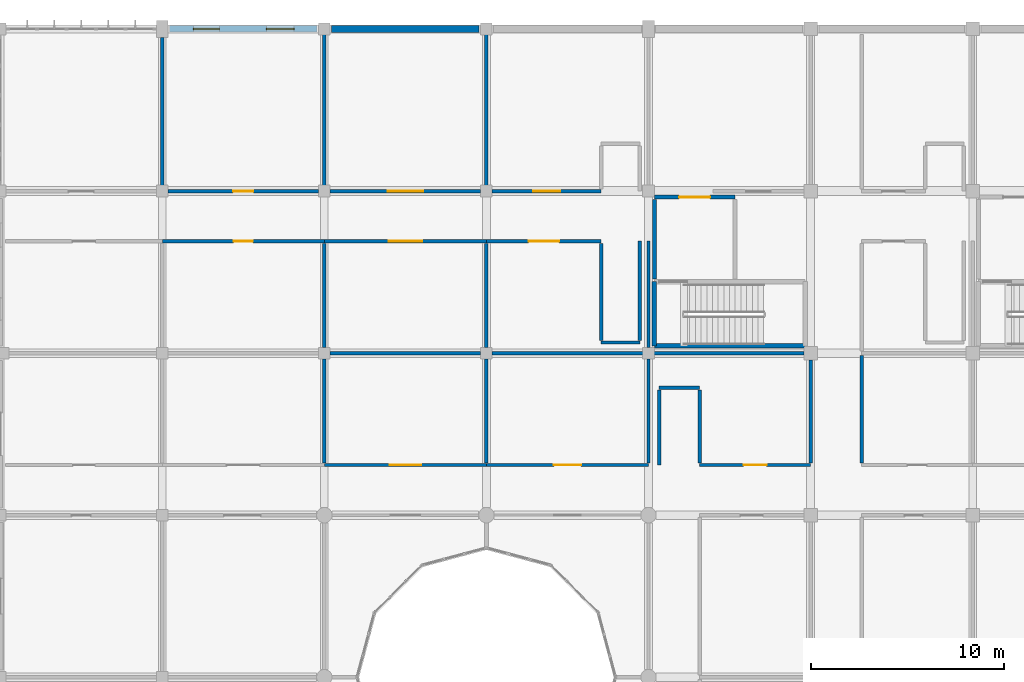
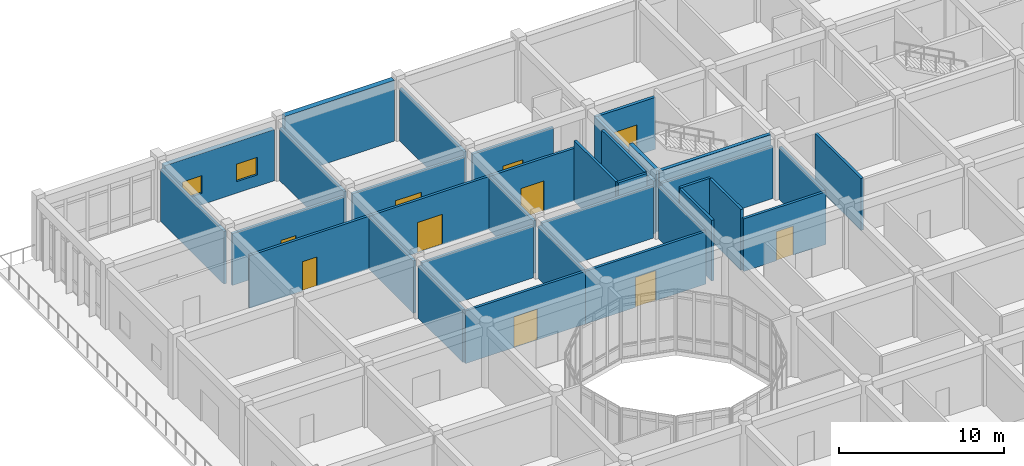
# One storey, part 100 of 138: 35 walls, 10 doors, 2 windows, 12 openings.
"""IFC4 building model written with IfcOpenShell, lengths in metres."""

from ifc_helpers import new_model, si_unit, direction, frame, frame_2d, origin, place, context, subcontext, project, spatial, rectangle, extrude, material, layer, layer_set, type_object, element, fill, save


model = new_model("IFC4")

# Units and contexts
model_context = context("Model", 3, precision=1e-05, world=origin(), true_north=direction((0.0, 1.0)))
body_context = subcontext(model_context, "Body", "Model", "MODEL_VIEW")
ifc_project = project(units=[si_unit("LENGTHUNIT", "METRE"), si_unit("AREAUNIT", "SQUARE_METRE"), si_unit("VOLUMEUNIT", "CUBIC_METRE"), si_unit("PLANEANGLEUNIT", "RADIAN"), si_unit("MASSUNIT", "GRAM", prefix="KILO")], contexts=[model_context])

# Site, building, storey
site_placement = place(None, origin())
site = spatial("IfcSite", under=ifc_project, at=site_placement, CompositionType="ELEMENT")
building_placement = place(site_placement, origin())
building = spatial("IfcBuilding", under=site, at=building_placement, Name="Bramfleet General Hospital", CompositionType="ELEMENT")
storey_placement = place(building_placement, origin())
storey = spatial("IfcBuildingStorey", under=building, at=storey_placement, Name="L00", CompositionType="ELEMENT", Elevation=0.0)

# Wall
ifc_material_1 = material(Name="Concrete C35/45", Category="concrete")
ifc_layer_1 = layer(ifc_material_1, 0.360107421875, Name="WT-EW-02")
ifc_layer_set_1 = layer_set([ifc_layer_1], Name="Concrete C35/45")
wall_type_1 = type_object("IfcWallType", Name="WT-EW-02", PredefinedType="SOLIDWALL", material=ifc_layer_set_1)
wall_1_placement = place(storey_placement, frame((17.175048828125, 117.60009765625, 0.0), z_axis=(0.0, 0.0, 1.0), x_axis=(1.0, 0.0, 0.0)))
element("IfcWall", 1, at=wall_1_placement, inside=storey, type_object=wall_type_1, Name="L00 North REI 90-M Party Wall 107", PredefinedType="SOLIDWALL", context=body_context, shape_type="SweptSolid", body=[
    extrude(rectangle(XDim=7.64990234375, YDim=0.360107421875, at=frame_2d((3.824951171875, 0.0))), origin(), (0.0, 0.0, 1.0), 4.5),
])

# Wall, openings, windows
ifc_material_2 = material(Name="Precast concrete C40/50", Category="concrete")
ifc_layer_2 = layer(ifc_material_2, 0.3349609375, Name="WT-EW-03")
ifc_layer_set_2 = layer_set([ifc_layer_2], Name="Precast concrete C40/50")
wall_type_2 = type_object("IfcWallType", Name="WT-EW-03", PredefinedType="SOLIDWALL", material=ifc_layer_set_2)
wall_2_placement = place(storey_placement, frame((8.77490234375, 117.60009765625, 0.0), z_axis=(0.0, 0.0, 1.0), x_axis=(1.0, 0.0, 0.0)))
wall_2 = element("IfcWall", 2, at=wall_2_placement, inside=storey, type_object=wall_type_2, Name="L00 Exterior Wall 106", PredefinedType="SOLIDWALL", context=body_context, shape_type="SweptSolid", body=[
    extrude(rectangle(XDim=7.650146484375, YDim=0.3349609375, at=frame_2d((3.8251953125, 0.0))), origin(), (0.0, 0.0, 1.0), 3.7900390625),
])
opening_1_placement = place(wall_2_placement, frame((1.237548828125, 0.0, 0.85009765625)))
opening_1 = element("IfcOpeningElement", 3, at=opening_1_placement, cuts=wall_2, Name="Opening W-05", PredefinedType="OPENING", context=body_context, shape_type="SweptSolid", body=[
    extrude(rectangle(XDim=1.35009765625, YDim=1.300048828125, at=frame_2d((0.675048828125, 0.64990234375))), frame((0.0, 0.177490234375, 0.0), z_axis=(0.0, -1.0, 0.0), x_axis=(1.0, 0.0, 0.0)), (0.0, 0.0, 1.0), 0.35498046875),
])
opening_2_placement = place(wall_2_placement, frame((5.012451171875, 0.0, 0.85009765625)))
opening_2 = element("IfcOpeningElement", 4, at=opening_2_placement, cuts=wall_2, Name="Opening W-06", PredefinedType="OPENING", context=body_context, shape_type="SweptSolid", body=[
    extrude(rectangle(XDim=1.449951171875, YDim=1.300048828125, at=frame_2d((0.72509765625, 0.64990234375))), frame((0.0, 0.177490234375, 0.0), z_axis=(0.0, -1.0, 0.0), x_axis=(1.0, 0.0, 0.0)), (0.0, 0.0, 1.0), 0.35498046875),
])
ifc_material_3 = material(Name="Anodised aluminium and low-E triple glazing", Category="aluminium")
window_type_1 = type_object("IfcWindowType", Name="WIN-W-05", PartitioningType="SINGLE_PANEL", PredefinedType="WINDOW", material=ifc_material_3)
window_1_placement = place(opening_1_placement, origin())
window_1 = element("IfcWindow", 5, at=window_1_placement, inside=storey, type_object=window_type_1, Name="L00 Facade Window WIN-L00-106-1", OverallHeight=1.300048828125, OverallWidth=1.35009765625, PartitioningType="SINGLE_PANEL", PredefinedType="WINDOW", context=body_context, shape_type="SweptSolid", body=[
    extrude(rectangle(XDim=1.35009765625, YDim=1.300048828125, at=frame_2d((0.675048828125, 0.64990234375))), frame((0.0, 0.030029296875, 0.0), z_axis=(0.0, -1.0, 0.0), x_axis=(1.0, 0.0, 0.0)), (0.0, 0.0, 1.0), 0.06005859375),
])
fill(opening_1, window_1)
window_type_2 = type_object("IfcWindowType", Name="WIN-W-06", PartitioningType="SINGLE_PANEL", PredefinedType="WINDOW", material=ifc_material_3)
window_2_placement = place(opening_2_placement, origin())
window_2 = element("IfcWindow", 6, at=window_2_placement, inside=storey, type_object=window_type_2, Name="L00 Facade Window WIN-L00-106-2", OverallHeight=1.300048828125, OverallWidth=1.449951171875, PartitioningType="SINGLE_PANEL", PredefinedType="WINDOW", context=body_context, shape_type="SweptSolid", body=[
    extrude(rectangle(XDim=1.449951171875, YDim=1.300048828125, at=frame_2d((0.72509765625, 0.64990234375))), frame((0.0, 0.030029296875, 0.0), z_axis=(0.0, -1.0, 0.0), x_axis=(1.0, 0.0, 0.0)), (0.0, 0.0, 1.0), 0.06005859375),
])
fill(opening_2, window_2)

# Wall
ifc_layer_3 = layer(ifc_material_1, 0.205078125, Name="WT-IW-02")
ifc_layer_set_3 = layer_set([ifc_layer_3], Name="Concrete C35/45")
wall_type_3 = type_object("IfcWallType", Name="WT-IW-02", PredefinedType="PARTITIONING", material=ifc_layer_set_3)
wall_3_placement = place(storey_placement, frame((33.89990234375, 104.639892578125, 0.0), z_axis=(0.0, 0.0, 1.0), x_axis=(0.0, 1.0, 0.0)))
element("IfcWall", 7, at=wall_3_placement, inside=storey, type_object=wall_type_3, Name="L00 C8 Lobby West Compartment Wall", PredefinedType="PARTITIONING", context=body_context, shape_type="SweptSolid", body=[
    extrude(rectangle(XDim=4.1201171875, YDim=0.205078125, at=frame_2d((2.06005859375, 0.0))), origin(), (0.0, 0.0, 1.0), 3.889892578125),
])

# Wall, opening, door
wall_4_placement = place(storey_placement, frame((33.89990234375, 108.8798828125, 0.0), z_axis=(0.0, 0.0, 1.0), x_axis=(1.0, 0.0, 0.0)))
wall_4 = element("IfcWall", 8, at=wall_4_placement, inside=storey, type_object=wall_type_3, Name="L00 C8 Lobby North Compartment Wall", PredefinedType="PARTITIONING", context=body_context, shape_type="SweptSolid", body=[
    extrude(rectangle(XDim=4.18017578125, YDim=0.205078125, at=frame_2d((2.090087890625, 0.0))), origin(), (0.0, 0.0, 1.0), 3.840087890625),
])
opening_3_placement = place(wall_4_placement, frame((1.2900390625, 0.0, 0.0)))
opening_3 = element("IfcOpeningElement", 9, at=opening_3_placement, cuts=wall_4, Name="Opening D0100", PredefinedType="OPENING", context=body_context, shape_type="SweptSolid", body=[
    extrude(rectangle(XDim=1.60009765625, YDim=2.25, at=frame_2d((0.800048828125, 1.125))), frame((0.0, 0.112548828125, 0.0), z_axis=(0.0, -1.0, 0.0), x_axis=(1.0, 0.0, 0.0)), (0.0, 0.0, 1.0), 0.22509765625),
])
ifc_material_4 = material(Name="Stainless steel and acoustic timber leaf", Category="steel")
door_type_1 = type_object("IfcDoorType", Name="DR-D-04", OperationType="NOTDEFINED", PredefinedType="DOOR", material=ifc_material_4)
door_1_placement = place(opening_3_placement, origin())
door_1 = element("IfcDoor", 10, at=door_1_placement, inside=storey, type_object=door_type_1, Name="L00 C8 Lobby Fire Door D0100", OperationType="DOUBLE_SWING_LEFT", OverallHeight=2.25, OverallWidth=1.60009765625, PredefinedType="DOOR", context=body_context, shape_type="SweptSolid", body=[
    extrude(rectangle(XDim=1.60009765625, YDim=2.25, at=frame_2d((0.800048828125, 1.125))), frame((0.0, 0.02490234375, 0.0), z_axis=(0.0, -1.0, 0.0), x_axis=(1.0, 0.0, 0.0)), (0.0, 0.0, 1.0), 0.050048828125),
])
fill(opening_3, door_1)

ifc_layer_4 = layer(ifc_material_1, 0.179931640625, Name="WT-IW-04")
ifc_layer_set_4 = layer_set([ifc_layer_4], Name="Concrete C35/45")
wall_type_4 = type_object("IfcWallType", Name="WT-IW-04", PredefinedType="PARTITIONING", material=ifc_layer_set_4)
wall_5_placement = place(storey_placement, frame((16.800048828125, 95.0, 0.0), z_axis=(0.0, 0.0, 1.0), x_axis=(1.0, 0.0, 0.0)))
wall_5 = element("IfcWall", 11, at=wall_5_placement, inside=storey, type_object=wall_type_4, Name="L00 Interior Partition IW-L00-0822", PredefinedType="PARTITIONING", context=body_context, shape_type="SweptSolid", body=[
    extrude(rectangle(XDim=8.39990234375, YDim=0.179931640625, at=frame_2d((4.199951171875, 0.0))), origin(), (0.0, 0.0, 1.0), 3.889892578125),
])
opening_4_placement = place(wall_5_placement, frame((3.3798828125, 0.0, 0.0)))
opening_4 = element("IfcOpeningElement", 12, at=opening_4_placement, cuts=wall_5, Name="Opening D0434", PredefinedType="OPENING", context=body_context, shape_type="SweptSolid", body=[
    extrude(rectangle(XDim=1.639892578125, YDim=2.280029296875, at=frame_2d((0.81982421875, 1.14013671875))), frame((0.0, 0.099853515625, 0.0), z_axis=(0.0, -1.0, 0.0), x_axis=(1.0, 0.0, 0.0)), (0.0, 0.0, 1.0), 0.199951171875),
])
door_type_2 = type_object("IfcDoorType", Name="DR-D-18", OperationType="NOTDEFINED", PredefinedType="DOOR", material=ifc_material_4)
door_2_placement = place(opening_4_placement, origin())
door_2 = element("IfcDoor", 13, at=door_2_placement, inside=storey, type_object=door_type_2, Name="Diagnostic Imaging CT and Radiography 0211 Door D0434", OperationType="DOUBLE_SWING_LEFT", OverallHeight=2.280029296875, OverallWidth=1.639892578125, PredefinedType="DOOR", context=body_context, shape_type="SweptSolid", body=[
    extrude(rectangle(XDim=1.639892578125, YDim=2.280029296875, at=frame_2d((0.81982421875, 1.14013671875))), frame((0.0, 0.02490234375, 0.0), z_axis=(0.0, -1.0, 0.0), x_axis=(1.0, 0.0, 0.0)), (0.0, 0.0, 1.0), 0.050048828125),
])
fill(opening_4, door_2)

wall_6_placement = place(storey_placement, frame((25.199951171875, 95.0, 0.0), z_axis=(0.0, 0.0, 1.0), x_axis=(1.0, 0.0, 0.0)))
wall_6 = element("IfcWall", 14, at=wall_6_placement, inside=storey, type_object=wall_type_4, Name="L00 Interior Partition IW-L00-0823", PredefinedType="PARTITIONING", context=body_context, shape_type="SweptSolid", body=[
    extrude(rectangle(XDim=8.400146484375, YDim=0.179931640625, at=frame_2d((4.2001953125, 0.0))), origin(), (0.0, 0.0, 1.0), 3.889892578125),
])
opening_5_placement = place(wall_6_placement, frame((3.489990234375, 0.0, 0.0)))
opening_5 = element("IfcOpeningElement", 15, at=opening_5_placement, cuts=wall_6, Name="Opening D0447", PredefinedType="OPENING", context=body_context, shape_type="SweptSolid", body=[
    extrude(rectangle(XDim=1.419921875, YDim=2.219970703125, at=frame_2d((0.7099609375, 1.10986328125))), frame((0.0, 0.099853515625, 0.0), z_axis=(0.0, -1.0, 0.0), x_axis=(1.0, 0.0, 0.0)), (0.0, 0.0, 1.0), 0.199951171875),
])
door_type_3 = type_object("IfcDoorType", Name="DR-D-31", OperationType="NOTDEFINED", PredefinedType="DOOR", material=ifc_material_4)
door_3_placement = place(opening_5_placement, origin())
door_3 = element("IfcDoor", 16, at=door_3_placement, inside=storey, type_object=door_type_3, Name="Diagnostic Imaging CT and Radiography 0311 Door D0447", OperationType="SINGLE_SWING_RIGHT", OverallHeight=2.219970703125, OverallWidth=1.419921875, PredefinedType="DOOR", context=body_context, shape_type="SweptSolid", body=[
    extrude(rectangle(XDim=1.419921875, YDim=2.219970703125, at=frame_2d((0.7099609375, 1.10986328125))), frame((0.0, 0.02490234375, 0.0), z_axis=(0.0, -1.0, 0.0), x_axis=(1.0, 0.0, 0.0)), (0.0, 0.0, 1.0), 0.050048828125),
])
fill(opening_5, door_3)

wall_7_placement = place(storey_placement, frame((36.25, 95.0, 0.0), z_axis=(0.0, 0.0, 1.0), x_axis=(1.0, 0.0, 0.0)))
wall_7 = element("IfcWall", 17, at=wall_7_placement, inside=storey, type_object=wall_type_4, Name="L00 Interior Partition IW-L00-0824", PredefinedType="PARTITIONING", context=body_context, shape_type="SweptSolid", body=[
    extrude(rectangle(XDim=5.75, YDim=0.179931640625, at=frame_2d((2.875, 0.0))), origin(), (0.0, 0.0, 1.0), 3.889892578125),
])
opening_6_placement = place(wall_7_placement, frame((2.27490234375, 0.0, 0.0)))
opening_6 = element("IfcOpeningElement", 18, at=opening_6_placement, cuts=wall_7, Name="Opening D0461", PredefinedType="OPENING", context=body_context, shape_type="SweptSolid", body=[
    extrude(rectangle(XDim=1.199951171875, YDim=2.14990234375, at=frame_2d((0.60009765625, 1.074951171875))), frame((0.0, 0.099853515625, 0.0), z_axis=(0.0, -1.0, 0.0), x_axis=(1.0, 0.0, 0.0)), (0.0, 0.0, 1.0), 0.199951171875),
])
door_type_4 = type_object("IfcDoorType", Name="DR-D-13", OperationType="NOTDEFINED", PredefinedType="DOOR", material=ifc_material_4)
door_4_placement = place(opening_6_placement, origin())
door_4 = element("IfcDoor", 19, at=door_4_placement, inside=storey, type_object=door_type_4, Name="Diagnostic Imaging CT and Radiography 0411 Door D0461", OperationType="SINGLE_SWING_RIGHT", OverallHeight=2.14990234375, OverallWidth=1.199951171875, PredefinedType="DOOR", context=body_context, shape_type="SweptSolid", body=[
    extrude(rectangle(XDim=1.199951171875, YDim=2.14990234375, at=frame_2d((0.60009765625, 1.074951171875))), frame((0.0, 0.02490234375, 0.0), z_axis=(0.0, -1.0, 0.0), x_axis=(1.0, 0.0, 0.0)), (0.0, 0.0, 1.0), 0.050048828125),
])
fill(opening_6, door_4)

# Walls
wall_8_placement = place(storey_placement, frame((34.14990234375, 99.0, 0.0), z_axis=(0.0, 0.0, 1.0), x_axis=(1.0, 0.0, 0.0)))
element("IfcWall", 20, at=wall_8_placement, inside=storey, type_object=wall_type_4, Name="L00 Interior Partition IW-L00-0838", PredefinedType="PARTITIONING", context=body_context, shape_type="SweptSolid", body=[
    extrude(rectangle(XDim=2.10009765625, YDim=0.179931640625, at=frame_2d((1.050048828125, 0.0))), origin(), (0.0, 0.0, 1.0), 4.489990234375),
])
wall_9_placement = place(storey_placement, frame((17.094970703125, 100.800048828125, 0.0), z_axis=(0.0, 0.0, 1.0), x_axis=(1.0, 0.0, 0.0)))
element("IfcWall", 21, at=wall_9_placement, inside=storey, type_object=wall_type_4, Name="L00 Interior Partition IW-L00-0841", PredefinedType="PARTITIONING", context=body_context, shape_type="SweptSolid", body=[
    extrude(rectangle(XDim=7.81005859375, YDim=0.179931640625, at=frame_2d((3.905029296875, 0.0))), origin(), (0.0, 0.0, 1.0), 3.840087890625),
])
wall_10_placement = place(storey_placement, frame((25.4951171875, 100.800048828125, 0.0), z_axis=(0.0, 0.0, 1.0), x_axis=(1.0, 0.0, 0.0)))
element("IfcWall", 22, at=wall_10_placement, inside=storey, type_object=wall_type_4, Name="L00 Interior Partition IW-L00-0842", PredefinedType="PARTITIONING", context=body_context, shape_type="SweptSolid", body=[
    extrude(rectangle(XDim=7.809814453125, YDim=0.179931640625, at=frame_2d((3.90478515625, 0.0))), origin(), (0.0, 0.0, 1.0), 3.840087890625),
])
wall_11_placement = place(storey_placement, frame((33.89501953125, 100.800048828125, 0.0), z_axis=(0.0, 0.0, 1.0), x_axis=(1.0, 0.0, 0.0)))
element("IfcWall", 23, at=wall_11_placement, inside=storey, type_object=wall_type_4, Name="L00 Interior Partition IW-L00-0843", PredefinedType="PARTITIONING", context=body_context, shape_type="SweptSolid", body=[
    extrude(rectangle(XDim=7.760009765625, YDim=0.179931640625, at=frame_2d((3.8798828125, 0.0))), origin(), (0.0, 0.0, 1.0), 3.840087890625),
])
wall_12_placement = place(storey_placement, frame((31.14990234375, 101.35009765625, 0.0), z_axis=(0.0, 0.0, 1.0), x_axis=(1.0, 0.0, 0.0)))
element("IfcWall", 24, at=wall_12_placement, inside=storey, type_object=wall_type_4, Name="L00 Interior Partition IW-L00-0861", PredefinedType="PARTITIONING", context=body_context, shape_type="SweptSolid", body=[
    extrude(rectangle(XDim=2.0, YDim=0.179931640625, at=frame_2d((1.0, 0.0))), origin(), (0.0, 0.0, 1.0), 4.489990234375),
])

# Wall, opening, door
wall_13_placement = place(storey_placement, frame((8.39990234375, 106.60009765625, 0.0), z_axis=(0.0, 0.0, 1.0), x_axis=(1.0, 0.0, 0.0)))
wall_13 = element("IfcWall", 25, at=wall_13_placement, inside=storey, type_object=wall_type_4, Name="L00 Interior Partition IW-L00-0868", PredefinedType="PARTITIONING", context=body_context, shape_type="SweptSolid", body=[
    extrude(rectangle(XDim=8.400146484375, YDim=0.179931640625, at=frame_2d((4.2001953125, 0.0))), origin(), (0.0, 0.0, 1.0), 3.889892578125),
])
opening_7_placement = place(wall_13_placement, frame((3.699951171875, 0.0, 0.0)))
opening_7 = element("IfcOpeningElement", 26, at=opening_7_placement, cuts=wall_13, Name="Opening D0424", PredefinedType="OPENING", context=body_context, shape_type="SweptSolid", body=[
    extrude(rectangle(XDim=1.0, YDim=2.14990234375, at=frame_2d((0.5, 1.074951171875))), frame((0.0, 0.099853515625, 0.0), z_axis=(0.0, -1.0, 0.0), x_axis=(1.0, 0.0, 0.0)), (0.0, 0.0, 1.0), 0.199951171875),
])
door_type_5 = type_object("IfcDoorType", Name="DR-D-08", OperationType="NOTDEFINED", PredefinedType="DOOR", material=ifc_material_4)
door_5_placement = place(opening_7_placement, origin())
door_5 = element("IfcDoor", 27, at=door_5_placement, inside=storey, type_object=door_type_5, Name="Diagnostic Imaging CT and Radiography 0112 Door D0424", OperationType="SINGLE_SWING_LEFT", OverallHeight=2.14990234375, OverallWidth=1.0, PredefinedType="DOOR", context=body_context, shape_type="SweptSolid", body=[
    extrude(rectangle(XDim=1.0, YDim=2.14990234375, at=frame_2d((0.5, 1.074951171875))), frame((0.0, 0.02490234375, 0.0), z_axis=(0.0, -1.0, 0.0), x_axis=(1.0, 0.0, 0.0)), (0.0, 0.0, 1.0), 0.050048828125),
])
fill(opening_7, door_5)

wall_14_placement = place(storey_placement, frame((16.800048828125, 106.60009765625, 0.0), z_axis=(0.0, 0.0, 1.0), x_axis=(1.0, 0.0, 0.0)))
wall_14 = element("IfcWall", 28, at=wall_14_placement, inside=storey, type_object=wall_type_4, Name="L00 Interior Partition IW-L00-0869", PredefinedType="PARTITIONING", context=body_context, shape_type="SweptSolid", body=[
    extrude(rectangle(XDim=8.39990234375, YDim=0.179931640625, at=frame_2d((4.199951171875, 0.0))), origin(), (0.0, 0.0, 1.0), 3.889892578125),
])
opening_8_placement = place(wall_14_placement, frame((3.330078125, 0.0, 0.0)))
opening_8 = element("IfcOpeningElement", 29, at=opening_8_placement, cuts=wall_14, Name="Opening D0435", PredefinedType="OPENING", context=body_context, shape_type="SweptSolid", body=[
    extrude(rectangle(XDim=1.739990234375, YDim=2.239990234375, at=frame_2d((0.8701171875, 1.1201171875))), frame((0.0, 0.099853515625, 0.0), z_axis=(0.0, -1.0, 0.0), x_axis=(1.0, 0.0, 0.0)), (0.0, 0.0, 1.0), 0.199951171875),
])
door_type_6 = type_object("IfcDoorType", Name="DR-D-19", OperationType="NOTDEFINED", PredefinedType="DOOR", material=ifc_material_4)
door_6_placement = place(opening_8_placement, origin())
door_6 = element("IfcDoor", 30, at=door_6_placement, inside=storey, type_object=door_type_6, Name="Diagnostic Imaging CT and Radiography 0212 Door D0435", OperationType="DOUBLE_SWING_RIGHT", OverallHeight=2.239990234375, OverallWidth=1.739990234375, PredefinedType="DOOR", context=body_context, shape_type="SweptSolid", body=[
    extrude(rectangle(XDim=1.739990234375, YDim=2.239990234375, at=frame_2d((0.8701171875, 1.1201171875))), frame((0.0, 0.02490234375, 0.0), z_axis=(0.0, -1.0, 0.0), x_axis=(1.0, 0.0, 0.0)), (0.0, 0.0, 1.0), 0.050048828125),
])
fill(opening_8, door_6)

wall_15_placement = place(storey_placement, frame((25.199951171875, 106.60009765625, 0.0), z_axis=(0.0, 0.0, 1.0), x_axis=(1.0, 0.0, 0.0)))
wall_15 = element("IfcWall", 31, at=wall_15_placement, inside=storey, type_object=wall_type_4, Name="L00 Interior Partition IW-L00-0870", PredefinedType="PARTITIONING", context=body_context, shape_type="SweptSolid", body=[
    extrude(rectangle(XDim=5.949951171875, YDim=0.179931640625, at=frame_2d((2.97509765625, 0.0))), origin(), (0.0, 0.0, 1.0), 3.889892578125),
])
opening_9_placement = place(wall_15_placement, frame((2.18505859375, 0.0, 0.0)))
opening_9 = element("IfcOpeningElement", 32, at=opening_9_placement, cuts=wall_15, Name="Opening D0448", PredefinedType="OPENING", context=body_context, shape_type="SweptSolid", body=[
    extrude(rectangle(XDim=1.580078125, YDim=2.219970703125, at=frame_2d((0.7900390625, 1.10986328125))), frame((0.0, 0.099853515625, 0.0), z_axis=(0.0, -1.0, 0.0), x_axis=(1.0, 0.0, 0.0)), (0.0, 0.0, 1.0), 0.199951171875),
])
door_type_7 = type_object("IfcDoorType", Name="DR-D-32", OperationType="NOTDEFINED", PredefinedType="DOOR", material=ifc_material_4)
door_7_placement = place(opening_9_placement, origin())
door_7 = element("IfcDoor", 33, at=door_7_placement, inside=storey, type_object=door_type_7, Name="Diagnostic Imaging CT and Radiography 0312 Door D0448", OperationType="DOUBLE_SWING_LEFT", OverallHeight=2.219970703125, OverallWidth=1.580078125, PredefinedType="DOOR", context=body_context, shape_type="SweptSolid", body=[
    extrude(rectangle(XDim=1.580078125, YDim=2.219970703125, at=frame_2d((0.7900390625, 1.10986328125))), frame((0.0, 0.02490234375, 0.0), z_axis=(0.0, -1.0, 0.0), x_axis=(1.0, 0.0, 0.0)), (0.0, 0.0, 1.0), 0.050048828125),
])
fill(opening_9, door_7)

wall_16_placement = place(storey_placement, frame((8.695068359375, 109.199951171875, 0.0), z_axis=(0.0, 0.0, 1.0), x_axis=(1.0, 0.0, 0.0)))
wall_16 = element("IfcWall", 34, at=wall_16_placement, inside=storey, type_object=wall_type_4, Name="L00 Interior Partition IW-L00-0886", PredefinedType="PARTITIONING", context=body_context, shape_type="SweptSolid", body=[
    extrude(rectangle(XDim=7.809814453125, YDim=0.179931640625, at=frame_2d((3.90478515625, 0.0))), origin(), (0.0, 0.0, 1.0), 3.840087890625),
])
opening_10_placement = place(wall_16_placement, frame((3.3798828125, 0.0, 0.0)))
opening_10 = element("IfcOpeningElement", 35, at=opening_10_placement, cuts=wall_16, Name="Opening D0425", PredefinedType="OPENING", context=body_context, shape_type="SweptSolid", body=[
    extrude(rectangle(XDim=1.050048828125, YDim=2.14990234375, at=frame_2d((0.52490234375, 1.074951171875))), frame((0.0, 0.099853515625, 0.0), z_axis=(0.0, -1.0, 0.0), x_axis=(1.0, 0.0, 0.0)), (0.0, 0.0, 1.0), 0.199951171875),
])
door_type_8 = type_object("IfcDoorType", Name="DR-D-09", OperationType="NOTDEFINED", PredefinedType="DOOR", material=ifc_material_4)
door_8_placement = place(opening_10_placement, origin())
door_8 = element("IfcDoor", 36, at=door_8_placement, inside=storey, type_object=door_type_8, Name="Diagnostic Imaging CT and Radiography 0113 Door D0425", OperationType="SINGLE_SWING_RIGHT", OverallHeight=2.14990234375, OverallWidth=1.050048828125, PredefinedType="DOOR", context=body_context, shape_type="SweptSolid", body=[
    extrude(rectangle(XDim=1.050048828125, YDim=2.14990234375, at=frame_2d((0.52490234375, 1.074951171875))), frame((0.0, 0.02490234375, 0.0), z_axis=(0.0, -1.0, 0.0), x_axis=(1.0, 0.0, 0.0)), (0.0, 0.0, 1.0), 0.050048828125),
])
fill(opening_10, door_8)

wall_17_placement = place(storey_placement, frame((17.094970703125, 109.199951171875, 0.0), z_axis=(0.0, 0.0, 1.0), x_axis=(1.0, 0.0, 0.0)))
wall_17 = element("IfcWall", 37, at=wall_17_placement, inside=storey, type_object=wall_type_4, Name="L00 Interior Partition IW-L00-0887", PredefinedType="PARTITIONING", context=body_context, shape_type="SweptSolid", body=[
    extrude(rectangle(XDim=7.81005859375, YDim=0.179931640625, at=frame_2d((3.905029296875, 0.0))), origin(), (0.0, 0.0, 1.0), 3.840087890625),
])
opening_11_placement = place(wall_17_placement, frame((2.985107421875, 0.0, 0.0)))
opening_11 = element("IfcOpeningElement", 38, at=opening_11_placement, cuts=wall_17, Name="Opening D0436", PredefinedType="OPENING", context=body_context, shape_type="SweptSolid", body=[
    extrude(rectangle(XDim=1.840087890625, YDim=2.280029296875, at=frame_2d((0.919921875, 1.14013671875))), frame((0.0, 0.099853515625, 0.0), z_axis=(0.0, -1.0, 0.0), x_axis=(1.0, 0.0, 0.0)), (0.0, 0.0, 1.0), 0.199951171875),
])
door_type_9 = type_object("IfcDoorType", Name="DR-D-20", OperationType="NOTDEFINED", PredefinedType="DOOR", material=ifc_material_4)
door_9_placement = place(opening_11_placement, origin())
door_9 = element("IfcDoor", 39, at=door_9_placement, inside=storey, type_object=door_type_9, Name="Diagnostic Imaging CT and Radiography 0213 Door D0436", OperationType="DOUBLE_SWING_LEFT", OverallHeight=2.280029296875, OverallWidth=1.840087890625, PredefinedType="DOOR", context=body_context, shape_type="SweptSolid", body=[
    extrude(rectangle(XDim=1.840087890625, YDim=2.280029296875, at=frame_2d((0.919921875, 1.14013671875))), frame((0.0, 0.02490234375, 0.0), z_axis=(0.0, -1.0, 0.0), x_axis=(1.0, 0.0, 0.0)), (0.0, 0.0, 1.0), 0.050048828125),
])
fill(opening_11, door_9)

wall_18_placement = place(storey_placement, frame((25.4951171875, 109.199951171875, 0.0), z_axis=(0.0, 0.0, 1.0), x_axis=(1.0, 0.0, 0.0)))
wall_18 = element("IfcWall", 40, at=wall_18_placement, inside=storey, type_object=wall_type_4, Name="L00 Interior Partition IW-L00-0888", PredefinedType="PARTITIONING", context=body_context, shape_type="SweptSolid", body=[
    extrude(rectangle(XDim=5.65478515625, YDim=0.179931640625, at=frame_2d((2.827392578125, 0.0))), origin(), (0.0, 0.0, 1.0), 3.840087890625),
])
opening_12_placement = place(wall_18_placement, frame((2.12744140625, 0.0, 0.0)))
opening_12 = element("IfcOpeningElement", 41, at=opening_12_placement, cuts=wall_18, Name="Opening D0449", PredefinedType="OPENING", context=body_context, shape_type="SweptSolid", body=[
    extrude(rectangle(XDim=1.39990234375, YDim=2.199951171875, at=frame_2d((0.699951171875, 1.10009765625))), frame((0.0, 0.099853515625, 0.0), z_axis=(0.0, -1.0, 0.0), x_axis=(1.0, 0.0, 0.0)), (0.0, 0.0, 1.0), 0.199951171875),
])
door_type_10 = type_object("IfcDoorType", Name="DR-D-01", OperationType="NOTDEFINED", PredefinedType="DOOR", material=ifc_material_4)
door_10_placement = place(opening_12_placement, origin())
door_10 = element("IfcDoor", 42, at=door_10_placement, inside=storey, type_object=door_type_10, Name="Diagnostic Imaging CT and Radiography 0313 Door D0449", OperationType="SINGLE_SWING_RIGHT", OverallHeight=2.199951171875, OverallWidth=1.39990234375, PredefinedType="DOOR", context=body_context, shape_type="SweptSolid", body=[
    extrude(rectangle(XDim=1.39990234375, YDim=2.199951171875, at=frame_2d((0.699951171875, 1.10009765625))), frame((0.0, 0.02490234375, 0.0), z_axis=(0.0, -1.0, 0.0), x_axis=(1.0, 0.0, 0.0)), (0.0, 0.0, 1.0), 0.050048828125),
])
fill(opening_12, door_10)

# Walls
wall_19_placement = place(storey_placement, frame((8.39990234375, 109.4951171875, 0.0), z_axis=(0.0, 0.0, 1.0), x_axis=(0.0, 1.0, 0.0)))
element("IfcWall", 43, at=wall_19_placement, inside=storey, type_object=wall_type_4, Name="L00 Interior Partition IW-L00-0923", PredefinedType="PARTITIONING", context=body_context, shape_type="SweptSolid", body=[
    extrude(rectangle(XDim=7.659912109375, YDim=0.179931640625, at=frame_2d((3.830078125, 0.0))), origin(), (0.0, 0.0, 1.0), 3.889892578125),
])
wall_20_placement = place(storey_placement, frame((16.800048828125, 95.114990234375, 0.0), z_axis=(0.0, 0.0, 1.0), x_axis=(0.0, 1.0, 0.0)))
element("IfcWall", 44, at=wall_20_placement, inside=storey, type_object=wall_type_4, Name="L00 Interior Partition IW-L00-0935", PredefinedType="PARTITIONING", context=body_context, shape_type="SweptSolid", body=[
    extrude(rectangle(XDim=5.389892578125, YDim=0.179931640625, at=frame_2d((2.69482421875, 0.0))), origin(), (0.0, 0.0, 1.0), 3.889892578125),
])
wall_21_placement = place(storey_placement, frame((16.800048828125, 101.094970703125, 0.0), z_axis=(0.0, 0.0, 1.0), x_axis=(0.0, 1.0, 0.0)))
element("IfcWall", 45, at=wall_21_placement, inside=storey, type_object=wall_type_4, Name="L00 Interior Partition IW-L00-0936", PredefinedType="PARTITIONING", context=body_context, shape_type="SweptSolid", body=[
    extrude(rectangle(XDim=5.39013671875, YDim=0.179931640625, at=frame_2d((2.695068359375, 0.0))), origin(), (0.0, 0.0, 1.0), 3.889892578125),
])
wall_22_placement = place(storey_placement, frame((16.800048828125, 109.4951171875, 0.0), z_axis=(0.0, 0.0, 1.0), x_axis=(0.0, 1.0, 0.0)))
element("IfcWall", 46, at=wall_22_placement, inside=storey, type_object=wall_type_4, Name="L00 Interior Partition IW-L00-0937", PredefinedType="PARTITIONING", context=body_context, shape_type="SweptSolid", body=[
    extrude(rectangle(XDim=7.809814453125, YDim=0.179931640625, at=frame_2d((3.90478515625, 0.0))), origin(), (0.0, 0.0, 1.0), 3.889892578125),
])
wall_23_placement = place(storey_placement, frame((25.199951171875, 95.114990234375, 0.0), z_axis=(0.0, 0.0, 1.0), x_axis=(0.0, 1.0, 0.0)))
element("IfcWall", 47, at=wall_23_placement, inside=storey, type_object=wall_type_4, Name="L00 Interior Partition IW-L00-0950", PredefinedType="PARTITIONING", context=body_context, shape_type="SweptSolid", body=[
    extrude(rectangle(XDim=5.389892578125, YDim=0.179931640625, at=frame_2d((2.69482421875, 0.0))), origin(), (0.0, 0.0, 1.0), 3.889892578125),
])
wall_24_placement = place(storey_placement, frame((25.199951171875, 101.094970703125, 0.0), z_axis=(0.0, 0.0, 1.0), x_axis=(0.0, 1.0, 0.0)))
element("IfcWall", 48, at=wall_24_placement, inside=storey, type_object=wall_type_4, Name="L00 Interior Partition IW-L00-0951", PredefinedType="PARTITIONING", context=body_context, shape_type="SweptSolid", body=[
    extrude(rectangle(XDim=5.39013671875, YDim=0.179931640625, at=frame_2d((2.695068359375, 0.0))), origin(), (0.0, 0.0, 1.0), 3.889892578125),
])
wall_25_placement = place(storey_placement, frame((25.199951171875, 109.4951171875, 0.0), z_axis=(0.0, 0.0, 1.0), x_axis=(0.0, 1.0, 0.0)))
element("IfcWall", 49, at=wall_25_placement, inside=storey, type_object=wall_type_4, Name="L00 Interior Partition IW-L00-0952", PredefinedType="PARTITIONING", context=body_context, shape_type="SweptSolid", body=[
    extrude(rectangle(XDim=7.809814453125, YDim=0.179931640625, at=frame_2d((3.90478515625, 0.0))), origin(), (0.0, 0.0, 1.0), 3.889892578125),
])
wall_26_placement = place(storey_placement, frame((31.14990234375, 101.465087890625, 0.0), z_axis=(0.0, 0.0, 1.0), x_axis=(0.0, 1.0, 0.0)))
element("IfcWall", 50, at=wall_26_placement, inside=storey, type_object=wall_type_4, Name="L00 Interior Partition IW-L00-0953", PredefinedType="PARTITIONING", context=body_context, shape_type="SweptSolid", body=[
    extrude(rectangle(XDim=5.02001953125, YDim=0.179931640625, at=frame_2d((2.510009765625, 0.0))), origin(), (0.0, 0.0, 1.0), 4.489990234375),
])
wall_27_placement = place(storey_placement, frame((33.14990234375, 101.465087890625, 0.0), z_axis=(0.0, 0.0, 1.0), x_axis=(0.0, 1.0, 0.0)))
element("IfcWall", 51, at=wall_27_placement, inside=storey, type_object=wall_type_4, Name="L00 Interior Partition IW-L00-0955", PredefinedType="PARTITIONING", context=body_context, shape_type="SweptSolid", body=[
    extrude(rectangle(XDim=5.135009765625, YDim=0.179931640625, at=frame_2d((2.5673828125, 0.0))), origin(), (0.0, 0.0, 1.0), 4.489990234375),
])
wall_28_placement = place(storey_placement, frame((33.60009765625, 95.114990234375, 0.0), z_axis=(0.0, 0.0, 1.0), x_axis=(0.0, 1.0, 0.0)))
element("IfcWall", 52, at=wall_28_placement, inside=storey, type_object=wall_type_4, Name="L00 Interior Partition IW-L00-0967", PredefinedType="PARTITIONING", context=body_context, shape_type="SweptSolid", body=[
    extrude(rectangle(XDim=5.389892578125, YDim=0.179931640625, at=frame_2d((2.69482421875, 0.0))), origin(), (0.0, 0.0, 1.0), 3.889892578125),
])
wall_29_placement = place(storey_placement, frame((33.60009765625, 101.094970703125, 0.0), z_axis=(0.0, 0.0, 1.0), x_axis=(0.0, 1.0, 0.0)))
element("IfcWall", 53, at=wall_29_placement, inside=storey, type_object=wall_type_4, Name="L00 Interior Partition IW-L00-0968", PredefinedType="PARTITIONING", context=body_context, shape_type="SweptSolid", body=[
    extrude(rectangle(XDim=5.505126953125, YDim=0.179931640625, at=frame_2d((2.75244140625, 0.0))), origin(), (0.0, 0.0, 1.0), 3.889892578125),
])
wall_30_placement = place(storey_placement, frame((34.14990234375, 95.0, 0.0), z_axis=(0.0, 0.0, 1.0), x_axis=(0.0, 1.0, 0.0)))
element("IfcWall", 54, at=wall_30_placement, inside=storey, type_object=wall_type_4, Name="L00 Interior Partition IW-L00-0970", PredefinedType="PARTITIONING", context=body_context, shape_type="SweptSolid", body=[
    extrude(rectangle(XDim=3.885009765625, YDim=0.179931640625, at=frame_2d((1.9423828125, 0.0))), origin(), (0.0, 0.0, 1.0), 4.489990234375),
])
wall_31_placement = place(storey_placement, frame((36.25, 95.114990234375, 0.0), z_axis=(0.0, 0.0, 1.0), x_axis=(0.0, 1.0, 0.0)))
element("IfcWall", 55, at=wall_31_placement, inside=storey, type_object=wall_type_4, Name="L00 Interior Partition IW-L00-0982", PredefinedType="PARTITIONING", context=body_context, shape_type="SweptSolid", body=[
    extrude(rectangle(XDim=3.77001953125, YDim=0.179931640625, at=frame_2d((1.885009765625, 0.0))), origin(), (0.0, 0.0, 1.0), 4.489990234375),
])
wall_32_placement = place(storey_placement, frame((42.0, 95.114990234375, 0.0), z_axis=(0.0, 0.0, 1.0), x_axis=(0.0, 1.0, 0.0)))
element("IfcWall", 56, at=wall_32_placement, inside=storey, type_object=wall_type_4, Name="L00 Interior Partition IW-L00-0994", PredefinedType="PARTITIONING", context=body_context, shape_type="SweptSolid", body=[
    extrude(rectangle(XDim=5.340087890625, YDim=0.179931640625, at=frame_2d((2.669921875, 0.0))), origin(), (0.0, 0.0, 1.0), 3.889892578125),
])
wall_33_placement = place(storey_placement, frame((44.64990234375, 95.114990234375, 0.0), z_axis=(0.0, 0.0, 1.0), x_axis=(0.0, 1.0, 0.0)))
element("IfcWall", 57, at=wall_33_placement, inside=storey, type_object=wall_type_4, Name="L00 Interior Partition IW-L00-1000", PredefinedType="PARTITIONING", context=body_context, shape_type="SweptSolid", body=[
    extrude(rectangle(XDim=5.570068359375, YDim=0.179931640625, at=frame_2d((2.78515625, 0.0))), origin(), (0.0, 0.0, 1.0), 3.840087890625),
])
ifc_material_5 = material(Name="Concrete C40/50", Category="concrete")
ifc_layer_5 = layer(ifc_material_5, 0.239990234375, Name="WT-SW-240")
ifc_layer_set_5 = layer_set([ifc_layer_5], Name="Concrete C40/50")
wall_type_5 = type_object("IfcWallType", Name="WT-SW-240", PredefinedType="SHEAR", material=ifc_layer_set_5)
wall_34_placement = place(storey_placement, frame((33.89990234375, 101.179931640625, 0.0), z_axis=(0.0, 0.0, 1.0), x_axis=(1.0, 0.0, 0.0)))
element("IfcWall", 58, at=wall_34_placement, inside=storey, type_object=wall_type_5, Name="L00 C8 South Stair Shear Wall", PredefinedType="SHEAR", context=body_context, shape_type="SweptSolid", body=[
    extrude(rectangle(XDim=7.820068359375, YDim=0.239990234375, at=frame_2d((3.91015625, 0.0))), origin(), (0.0, 0.0, 1.0), 4.5),
])
wall_35_placement = place(storey_placement, frame((33.89990234375, 101.179931640625, 0.0), z_axis=(0.0, 0.0, 1.0), x_axis=(0.0, 1.0, 0.0)))
element("IfcWall", 59, at=wall_35_placement, inside=storey, type_object=wall_type_5, Name="L00 C8 West Stair Shear Wall", PredefinedType="SHEAR", context=body_context, shape_type="SweptSolid", body=[
    extrude(rectangle(XDim=3.320068359375, YDim=0.239990234375, at=frame_2d((1.66015625, 0.0))), origin(), (0.0, 0.0, 1.0), 4.5),
])

save(model, "model.ifc")
